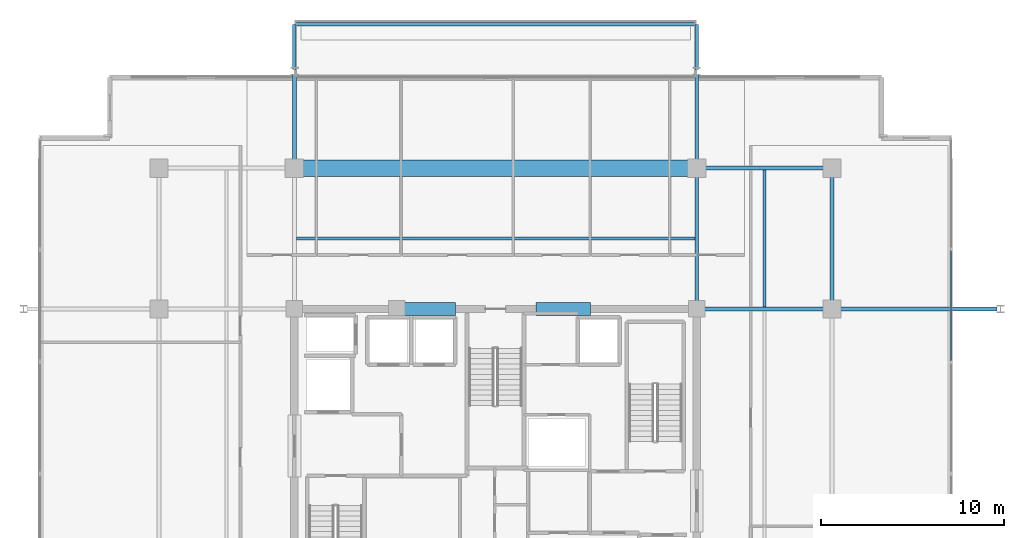
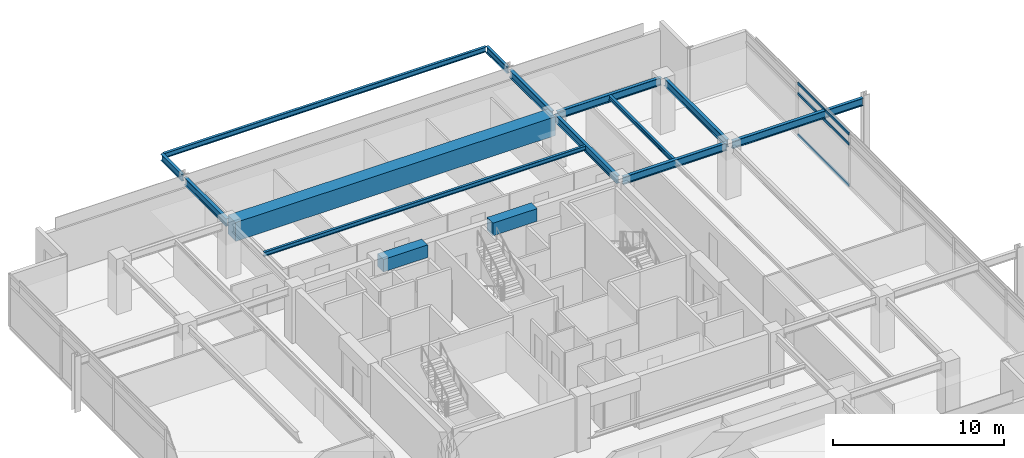
# One storey, part 10 of 20: 15 beams, 3 members, 1 element without a shape of its own.
"""IFC4 building model written with IfcOpenShell, lengths in metres."""

from ifc_helpers import new_model, si_unit, direction, frame, origin, origin_2d, place, context, subcontext, project, spatial, rectangle, hollow_rectangle, i_section, extrude, material, material_profile, profile_set, type_object, element, aggregate, save


model = new_model("IFC4")

# Units and contexts
model_context = context("Model", 3, precision=1e-05, world=origin(), true_north=direction((0.0, 1.0)))
body_context = subcontext(model_context, "Body", "Model", "MODEL_VIEW")
ifc_project = project(units=[si_unit("LENGTHUNIT", "METRE"), si_unit("AREAUNIT", "SQUARE_METRE"), si_unit("VOLUMEUNIT", "CUBIC_METRE"), si_unit("PLANEANGLEUNIT", "RADIAN"), si_unit("MASSUNIT", "GRAM", prefix="KILO")], contexts=[model_context])

# Site, building, storey
site_placement = place(None, origin())
site = spatial("IfcSite", under=ifc_project, at=site_placement, CompositionType="ELEMENT")
building_placement = place(site_placement, origin())
building = spatial("IfcBuilding", under=site, at=building_placement, Name="Kovane Verandah Tower", CompositionType="ELEMENT")
storey_placement = place(building_placement, frame((0.0, 0.0, 322.800048828125)))
storey = spatial("IfcBuildingStorey", under=building, at=storey_placement, Name="L75", CompositionType="ELEMENT", Elevation=322.800048828125)

# Beams
ifc_material_1 = material(Name="Concrete C60/75", Category="concrete")
ifc_material_profile_1 = material_profile(ifc_material_1, rectangle(XDim=0.699951171875, YDim=0.89990234375, at=origin_2d()), Name="RCB700x900")
ifc_profile_set_1 = profile_set([ifc_material_profile_1], Name="Concrete C60/75")
beam_type_1 = type_object("IfcBeamType", Name="BM-LINTEL-700x900", PredefinedType="LINTEL", material=ifc_profile_set_1)
for number, where, z_axis, x_axis, name in (
    (1, (34.800048828125, 36.5, 3.3349609375), (1.0, 0.0, 0.0), (0.0, 1.0, 0.0), "L75 Core Coupling Lintel CL-N1"),
    (2, (42.199951171875, 36.5, 3.3349609375), (1.0, 0.0, 0.0), (0.0, 1.0, 0.0), "L75 Core Coupling Lintel CL-N2"),
):
    element("IfcBeam", number, at=place(storey_placement, frame(where, z_axis=z_axis, x_axis=x_axis)), inside=storey, type_object=beam_type_1, Name=name, PredefinedType="LINTEL", context=body_context, shape_type="SweptSolid", body=[
        extrude(rectangle(XDim=0.699951171875, YDim=0.89990234375, at=origin_2d()), origin(), (0.0, 0.0, 1.0), 3.0),
    ])
ifc_material_2 = material(Name="Concrete C80/95", Category="concrete")
ifc_material_profile_2 = material_profile(ifc_material_2, rectangle(XDim=0.89990234375, YDim=1.35009765625, at=origin_2d()), Name="RCB900x1350")
ifc_profile_set_2 = profile_set([ifc_material_profile_2], Name="Concrete C80/95")
beam_type_2 = type_object("IfcBeamType", Name="BM-TR-900x1350", PredefinedType="BEAM", material=ifc_profile_set_2)
beam_1_placement = place(storey_placement, frame((29.179931640625, 44.199951171875, 3.10986328125), z_axis=(1.0, 0.0, 0.0), x_axis=(0.0, 1.0, 0.0)))
element("IfcBeam", 3, at=beam_1_placement, inside=storey, type_object=beam_type_2, Name="L75 Primary Tower Girder G-RN2", PredefinedType="BEAM", context=body_context, shape_type="SweptSolid", body=[
    extrude(rectangle(XDim=0.89990234375, YDim=1.35009765625, at=origin_2d()), origin(), (0.0, 0.0, 1.0), 21.64013671875),
])
ifc_material_3 = material(Name="Steel S355", Category="steel")
ifc_material_profile_3 = material_profile(ifc_material_3, i_section(OverallWidth=0.2119140625, OverallDepth=0.54443359375, WebThickness=0.0126953125, FlangeThickness=0.021240234375, FilletRadius=0.0126953125, at=origin_2d()), Name="UB533x210x122")
ifc_profile_set_3 = profile_set([ifc_material_profile_3], Name="Steel S355")
beam_type_3 = type_object("IfcBeamType", Name="BM-UB533x122", PredefinedType="BEAM", material=ifc_profile_set_3)
beam_2_placement = place(storey_placement, frame((51.179931640625, 44.199951171875, 3.5126953125), z_axis=(1.0, 0.0, 0.0), x_axis=(0.0, 1.0, 0.0)))
element("IfcBeam", 4, at=beam_2_placement, inside=storey, type_object=beam_type_3, Name="L75 Primary Tower Girder G-RN3", PredefinedType="BEAM", context=body_context, shape_type="SweptSolid", body=[
    extrude(i_section(OverallWidth=0.2119140625, OverallDepth=0.54443359375, WebThickness=0.0126953125, FlangeThickness=0.021240234375, FilletRadius=0.0126953125, at=origin_2d()), origin(), (0.0, 0.0, 1.0), 7.0400390625),
])
beam_3_placement = place(storey_placement, frame((58.39990234375, 36.679931640625, 3.5126953125), z_axis=(0.0, 1.0, 0.0), x_axis=(-1.0, 0.0, 0.0)))
element("IfcBeam", 5, at=beam_3_placement, inside=storey, type_object=beam_type_3, Name="L75 Primary Tower Girder G-RE3", PredefinedType="BEAM", context=body_context, shape_type="SweptSolid", body=[
    extrude(i_section(OverallWidth=0.2119140625, OverallDepth=0.54443359375, WebThickness=0.0126953125, FlangeThickness=0.021240234375, FilletRadius=0.0126953125, at=origin_2d()), origin(), (0.0, 0.0, 1.0), 7.340087890625),
])
beam_4_placement = place(storey_placement, frame((51.179931640625, 36.5, 3.5126953125), z_axis=(1.0, 0.0, 0.0), x_axis=(0.0, 1.0, 0.0)))
element("IfcBeam", 6, at=beam_4_placement, inside=storey, type_object=beam_type_3, Name="L75 Primary Tower Girder G-E2", PredefinedType="BEAM", context=body_context, shape_type="SweptSolid", body=[
    extrude(i_section(OverallWidth=0.2119140625, OverallDepth=0.54443359375, WebThickness=0.0126953125, FlangeThickness=0.021240234375, FilletRadius=0.0126953125, at=origin_2d()), origin(), (0.0, 0.0, 1.0), 7.0400390625),
])
beam_5_placement = place(storey_placement, frame((51.0, 36.679931640625, 3.5126953125), z_axis=(0.0, 1.0, 0.0), x_axis=(-1.0, 0.0, 0.0)))
element("IfcBeam", 7, at=beam_5_placement, inside=storey, type_object=beam_type_3, Name="L75 Primary Tower Girder G-N2", PredefinedType="BEAM", context=body_context, shape_type="SweptSolid", body=[
    extrude(i_section(OverallWidth=0.2119140625, OverallDepth=0.54443359375, WebThickness=0.0126953125, FlangeThickness=0.021240234375, FilletRadius=0.0126953125, at=origin_2d()), origin(), (0.0, 0.0, 1.0), 7.340087890625),
])
beam_6_placement = place(storey_placement, frame((58.580078125, 36.5, 3.48779296875), z_axis=(1.0, 0.0, 0.0), x_axis=(0.0, 1.0, 0.0)))
element("IfcBeam", 8, at=beam_6_placement, inside=storey, type_object=beam_type_3, Name="L75 Primary Tower Girder G-VE2", PredefinedType="BEAM", context=body_context, shape_type="SweptSolid", body=[
    extrude(i_section(OverallWidth=0.2119140625, OverallDepth=0.54443359375, WebThickness=0.0126953125, FlangeThickness=0.021240234375, FilletRadius=0.0126953125, at=origin_2d()), origin(), (0.0, 0.0, 1.0), 8.83984375),
])
for number, where, z_axis, x_axis, name in (
    (9, (29.0, 44.3798828125, 3.48779296875), (0.0, 1.0, 0.0), (-1.0, 0.0, 0.0), "L75 Primary Tower Girder G-VN1"),
    (10, (51.0, 44.3798828125, 3.48779296875), (0.0, 1.0, 0.0), (-1.0, 0.0, 0.0), "L75 Primary Tower Girder G-VN2"),
):
    element("IfcBeam", number, at=place(storey_placement, frame(where, z_axis=z_axis, x_axis=x_axis)), inside=storey, type_object=beam_type_3, Name=name, PredefinedType="BEAM", context=body_context, shape_type="SweptSolid", body=[
        extrude(i_section(OverallWidth=0.2119140625, OverallDepth=0.54443359375, WebThickness=0.0126953125, FlangeThickness=0.021240234375, FilletRadius=0.0126953125, at=origin_2d()), origin(), (0.0, 0.0, 1.0), 4.940185546875),
    ])

# Curtain wall, members
ifc_material_4 = material(Name="Champagne Anodised Aluminium Frame with Low-E Clear Laminated Glass", Category="aluminium")
curtain_wall_type = type_object("IfcCurtainWallType", Name="CW-SYS-05-HIGH", PredefinedType="NOTDEFINED", material=ifc_material_4)
curtain_wall_placement = place(storey_placement, origin())
curtain_wall = element("IfcCurtainWall", 11, at=curtain_wall_placement, inside=storey, type_object=curtain_wall_type, Name="L75 E Unitised Curtain Wall", PredefinedType="NOTDEFINED")
ifc_material_5 = material(Name="Champagne Anodised Aluminium 6063-T6", Category="aluminium")
ifc_material_profile_4 = material_profile(ifc_material_5, hollow_rectangle(XDim=0.0849609375, YDim=0.18994140625, WallThickness=0.00390625, at=origin_2d()), Name="AL85x190x4")
ifc_profile_set_4 = profile_set([ifc_material_profile_4], Name="Champagne Anodised Aluminium 6063-T6")
member_type = type_object("IfcMemberType", Name="CW-TRN-85x190", PredefinedType="USERDEFINED", material=ifc_profile_set_4)
member_1_placement = place(storey_placement, frame((64.89990234375, 33.666748046875, 0.050048828125), z_axis=(0.0, 1.0, 0.0), x_axis=(-1.0, 0.0, 0.0)))
member_1 = element("IfcMember", 12, at=member_1_placement, type_object=member_type, Name="L75 E Unitised Curtain Wall Transom TB Bay 5", ObjectType="TRANSOM", PredefinedType="USERDEFINED", context=body_context, shape_type="SweptSolid", body=[
    extrude(hollow_rectangle(XDim=0.0849609375, YDim=0.18994140625, WallThickness=0.00390625, at=origin_2d()), origin(), (0.0, 0.0, 1.0), 6.0166015625),
])
member_2_placement = place(storey_placement, frame((64.89990234375, 33.666748046875, 3.0048828125), z_axis=(0.0, 1.0, 0.0), x_axis=(-1.0, 0.0, 0.0)))
member_2 = element("IfcMember", 13, at=member_2_placement, type_object=member_type, Name="L75 E Unitised Curtain Wall Transom TM Bay 5", ObjectType="TRANSOM", PredefinedType="USERDEFINED", context=body_context, shape_type="SweptSolid", body=[
    extrude(hollow_rectangle(XDim=0.0849609375, YDim=0.18994140625, WallThickness=0.00390625, at=origin_2d()), origin(), (0.0, 0.0, 1.0), 6.0166015625),
])
member_3_placement = place(storey_placement, frame((64.89990234375, 33.666748046875, 3.73486328125), z_axis=(0.0, 1.0, 0.0), x_axis=(-1.0, 0.0, 0.0)))
member_3 = element("IfcMember", 14, at=member_3_placement, type_object=member_type, Name="L75 E Unitised Curtain Wall Transom TT Bay 5", ObjectType="TRANSOM", PredefinedType="USERDEFINED", context=body_context, shape_type="SweptSolid", body=[
    extrude(hollow_rectangle(XDim=0.0849609375, YDim=0.18994140625, WallThickness=0.00390625, at=origin_2d()), origin(), (0.0, 0.0, 1.0), 6.0166015625),
])
aggregate(curtain_wall, [member_1, member_2, member_3])

# Beams
ifc_material_profile_5 = material_profile(ifc_material_3, i_section(OverallWidth=0.1669921875, OverallDepth=0.310302734375, WebThickness=0.0078125, FlangeThickness=0.013671875, FilletRadius=0.0087890625, at=origin_2d()), Name="UB305x165x54")
ifc_profile_set_5 = profile_set([ifc_material_profile_5], Name="Steel S355")
beam_type_4 = type_object("IfcBeamType", Name="JST-UB305x54", PredefinedType="JOIST", material=ifc_profile_set_5)
beam_7_placement = place(storey_placement, frame((29.10400390625, 40.35009765625, 3.629638671875), z_axis=(1.0, 0.0, 0.0), x_axis=(0.0, 1.0, 0.0)))
element("IfcBeam", 15, at=beam_7_placement, inside=storey, type_object=beam_type_4, Name="L75 Secondary Composite Joist J-N1", PredefinedType="JOIST", context=body_context, shape_type="SweptSolid", body=[
    extrude(i_section(OverallWidth=0.1669921875, OverallDepth=0.310302734375, WebThickness=0.0078125, FlangeThickness=0.013671875, FilletRadius=0.0087890625, at=origin_2d()), origin(), (0.0, 0.0, 1.0), 21.7919921875),
])
beam_8_placement = place(storey_placement, frame((54.699951171875, 36.60400390625, 3.629638671875), z_axis=(0.0, 1.0, 0.0), x_axis=(-1.0, 0.0, 0.0)))
element("IfcBeam", 16, at=beam_8_placement, inside=storey, type_object=beam_type_4, Name="L75 Secondary Composite Joist J-NE1", PredefinedType="JOIST", context=body_context, shape_type="SweptSolid", body=[
    extrude(i_section(OverallWidth=0.1669921875, OverallDepth=0.310302734375, WebThickness=0.0078125, FlangeThickness=0.013671875, FilletRadius=0.0087890625, at=origin_2d()), origin(), (0.0, 0.0, 1.0), 7.491943359375),
])
ifc_material_profile_6 = material_profile(ifc_material_3, i_section(OverallWidth=0.19287109375, OverallDepth=0.46728515625, WebThickness=0.011474609375, FlangeThickness=0.01953125, FilletRadius=0.01025390625, at=origin_2d()), Name="UB457x191x98")
ifc_profile_set_6 = profile_set([ifc_material_profile_6], Name="Steel S355")
beam_type_5 = type_object("IfcBeamType", Name="JST-UB457x98", PredefinedType="JOIST", material=ifc_profile_set_6)
for number, where, z_axis, x_axis, name in (
    (17, (29.0, 49.580078125, 3.5263671875), (0.0, 1.0, 0.0), (-1.0, 0.0, 0.0), "L75 North Planter Girder 1"),
    (18, (51.0, 49.580078125, 3.5263671875), (0.0, 1.0, 0.0), (-1.0, 0.0, 0.0), "L75 North Planter Girder 2"),
):
    element("IfcBeam", number, at=place(storey_placement, frame(where, z_axis=z_axis, x_axis=x_axis)), inside=storey, type_object=beam_type_5, Name=name, PredefinedType="JOIST", context=body_context, shape_type="SweptSolid", body=[
        extrude(i_section(OverallWidth=0.19287109375, OverallDepth=0.46728515625, WebThickness=0.011474609375, FlangeThickness=0.01953125, FilletRadius=0.01025390625, at=origin_2d()), origin(), (0.0, 0.0, 1.0), 2.485595703125),
    ])
ifc_material_profile_7 = material_profile(ifc_material_3, i_section(OverallWidth=0.173095703125, OverallDepth=0.36328125, WebThickness=0.009033203125, FlangeThickness=0.015625, FilletRadius=0.01025390625, at=origin_2d()), Name="UB356x171x67")
ifc_profile_set_7 = profile_set([ifc_material_profile_7], Name="Steel S355")
beam_type_6 = type_object("IfcBeamType", Name="SPD-UB356x67", PredefinedType="USERDEFINED", material=ifc_profile_set_7)
beam_9_placement = place(storey_placement, frame((29.094482421875, 52.065673828125, 3.578369140625), z_axis=(1.0, 0.0, 0.0), x_axis=(0.0, 1.0, 0.0)))
element("IfcBeam", 19, at=beam_9_placement, inside=storey, type_object=beam_type_6, Name="L75 North Planter Edge Spandrel", ObjectType="SPANDREL", PredefinedType="USERDEFINED", context=body_context, shape_type="SweptSolid", body=[
    extrude(i_section(OverallWidth=0.173095703125, OverallDepth=0.36328125, WebThickness=0.009033203125, FlangeThickness=0.015625, FilletRadius=0.01025390625, at=origin_2d()), origin(), (0.0, 0.0, 1.0), 21.81103515625),
])

save(model, "model.ifc")
